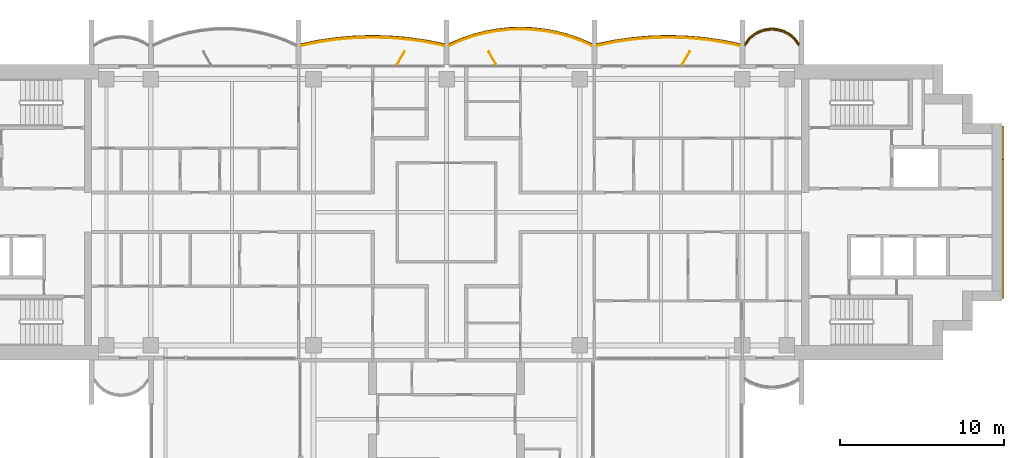
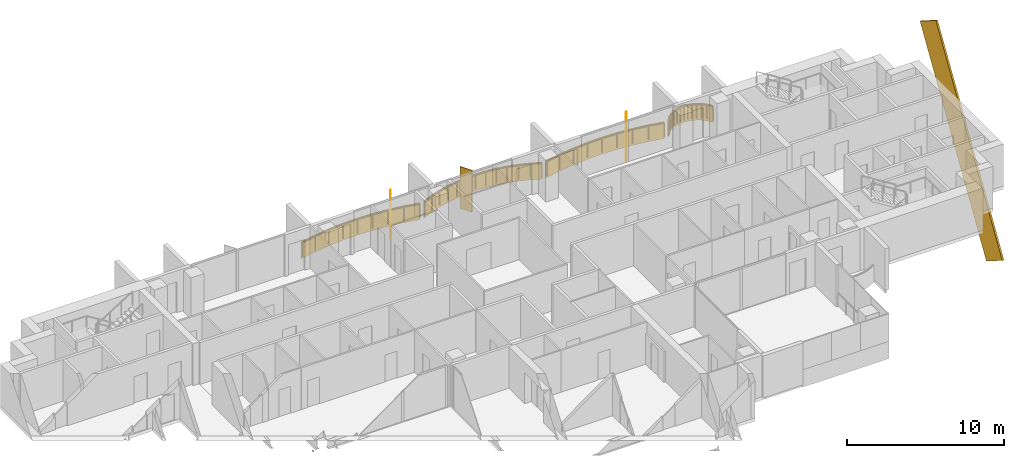
# One storey, part 18 of 18: 5 coverings, 4 railings, 3 shading devices.
"""IFC4 building model written with IfcOpenShell, lengths in metres."""

from ifc_helpers import new_model, si_unit, direction, frame, origin, origin_2d, place, context, subcontext, project, spatial, polyline, rectangle, outline, extrude, material, layer, layer_set, material_profile, profile_set, type_object, element, save


model = new_model("IFC4")

# Units and contexts
model_context = context("Model", 3, precision=1e-05, world=origin(), true_north=direction((0.0, 1.0)))
body_context = subcontext(model_context, "Body", "Model", "MODEL_VIEW")
ifc_project = project(units=[si_unit("LENGTHUNIT", "METRE"), si_unit("AREAUNIT", "SQUARE_METRE"), si_unit("VOLUMEUNIT", "CUBIC_METRE"), si_unit("PLANEANGLEUNIT", "RADIAN"), si_unit("MASSUNIT", "GRAM", prefix="KILO")], contexts=[model_context])

# Site, building, storey
site_placement = place(None, origin())
site = spatial("IfcSite", under=ifc_project, at=site_placement, CompositionType="ELEMENT")
building_placement = place(site_placement, origin())
building = spatial("IfcBuilding", under=site, at=building_placement, Name="Perihelion Cross Residences", CompositionType="ELEMENT")
storey_placement = place(building_placement, frame((0.0, 0.0, 215.60009765625)))
storey = spatial("IfcBuildingStorey", under=building, at=storey_placement, Name="L54", CompositionType="ELEMENT", Elevation=215.60009765625)

# Coverings
ifc_material_1 = material(Name="Bronze anodised aluminium", Category="aluminium")
ifc_layer_1 = layer(ifc_material_1, 0.070068359375)
ifc_layer_set_1 = layer_set([ifc_layer_1], Name="Balcony fascia 1300")
covering_type_1 = type_object("IfcCoveringType", Name="Balcony fascia 1300", PredefinedType="CLADDING", material=ifc_layer_set_1)
covering_1_placement = place(storey_placement, frame((0.0, 0.0, -0.2001953125)))
element("IfcCovering", 1, at=covering_1_placement, inside=storey, type_object=covering_type_1, Name="Fascia BF1 L54 east side north bay 1", PredefinedType="CLADDING", context=body_context, shape_type="SweptSolid", body=[
    extrude(outline(polyline([(21.226318359375, 10.616455078125), (20.94091796875, 10.86328125), (20.655517578125, 11.031494140625), (20.370361328125, 11.142578125), (20.085205078125, 11.206298828125), (19.800048828125, 11.22705078125), (19.514892578125, 11.206298828125), (19.229736328125, 11.142578125), (18.9443359375, 11.031494140625), (18.6591796875, 10.86328125), (18.373779296875, 10.616455078125), (18.14990234375, 10.31689453125), (18.14990234375, 10.199951171875), (18.425048828125, 10.568603515625), (18.699951171875, 10.806396484375), (18.97509765625, 10.96875), (19.25, 11.07568359375), (19.52490234375, 11.136962890625), (19.800048828125, 11.156982421875), (20.074951171875, 11.136962890625), (20.35009765625, 11.07568359375), (20.625, 10.96875), (20.89990234375, 10.806396484375), (21.175048828125, 10.568603515625), (21.449951171875, 10.199951171875), (21.449951171875, 10.31689453125), (21.226318359375, 10.616455078125)])), origin(), (0.0, 0.0, 1.0), 1.300048828125),
])
covering_2_placement = place(storey_placement, frame((0.0, 0.0, -0.2001953125)))
element("IfcCovering", 2, at=covering_2_placement, inside=storey, type_object=covering_type_1, Name="Fascia BF1 L54 east side north bay 2", PredefinedType="CLADDING", context=body_context, shape_type="SweptSolid", body=[
    extrude(outline(polyline([(16.7744140625, 10.4892578125), (15.682861328125, 10.645751953125), (14.591552734375, 10.739013671875), (13.5, 10.77001953125), (12.408447265625, 10.739013671875), (11.317138671875, 10.645751953125), (10.2255859375, 10.4892578125), (9.14990234375, 10.271484375), (9.14990234375, 10.199951171875), (10.237548828125, 10.42041015625), (11.324951171875, 10.576171875), (12.41259765625, 10.669189453125), (13.5, 10.699951171875), (14.58740234375, 10.669189453125), (15.675048828125, 10.576171875), (16.762451171875, 10.42041015625), (17.85009765625, 10.199951171875), (17.85009765625, 10.271484375), (16.7744140625, 10.4892578125)])), origin(), (0.0, 0.0, 1.0), 1.300048828125),
])
covering_3_placement = place(storey_placement, frame((0.0, 0.0, -0.2001953125)))
element("IfcCovering", 3, at=covering_3_placement, inside=storey, type_object=covering_type_1, Name="Fascia BF1 L54 north side east bay 1", PredefinedType="CLADDING", context=body_context, shape_type="SweptSolid", body=[
    extrude(outline(polyline([(8.150634765625, 10.582275390625), (7.42041015625, 10.83544921875), (6.690185546875, 11.028076171875), (5.960205078125, 11.1630859375), (5.22998046875, 11.243408203125), (4.5, 11.27001953125), (3.77001953125, 11.243408203125), (3.039794921875, 11.1630859375), (2.309814453125, 11.028076171875), (1.57958984375, 10.83544921875), (0.849365234375, 10.582275390625), (0.14990234375, 10.2763671875), (0.14990234375, 10.199951171875), (0.875, 10.51708984375), (1.60009765625, 10.7685546875), (2.324951171875, 10.959716796875), (3.050048828125, 11.093994140625), (3.77490234375, 11.173583984375), (4.5, 11.199951171875), (5.22509765625, 11.173583984375), (5.949951171875, 11.093994140625), (6.675048828125, 10.959716796875), (7.39990234375, 10.7685546875), (8.125, 10.51708984375), (8.85009765625, 10.199951171875), (8.85009765625, 10.2763671875), (8.150634765625, 10.582275390625)])), origin(), (0.0, 0.0, 1.0), 1.300048828125),
])
covering_4_placement = place(storey_placement, frame((0.0, 0.0, -0.2001953125)))
element("IfcCovering", 4, at=covering_4_placement, inside=storey, type_object=covering_type_1, Name="Fascia BF1 L54 north side east bay 2", PredefinedType="CLADDING", context=body_context, shape_type="SweptSolid", body=[
    extrude(outline(polyline([(-1.2255859375, 10.4892578125), (-2.317138671875, 10.645751953125), (-3.408447265625, 10.739013671875), (-4.5, 10.77001953125), (-5.591552734375, 10.739013671875), (-6.682861328125, 10.645751953125), (-7.7744140625, 10.4892578125), (-8.85009765625, 10.271484375), (-8.85009765625, 10.199951171875), (-7.762451171875, 10.42041015625), (-6.675048828125, 10.576171875), (-5.58740234375, 10.669189453125), (-4.5, 10.699951171875), (-3.41259765625, 10.669189453125), (-2.324951171875, 10.576171875), (-1.237548828125, 10.42041015625), (-0.14990234375, 10.199951171875), (-0.14990234375, 10.271484375), (-1.2255859375, 10.4892578125)])), origin(), (0.0, 0.0, 1.0), 1.300048828125),
])

# Railings
ifc_material_2 = material(Name="Bronze anodised aluminium", Category="aluminium")
railing_type = type_object("IfcRailingType", Name="Balcony guard 1100", PredefinedType="GUARDRAIL", material=ifc_material_2)
railing_1_placement = place(storey_placement, frame((21.425048828125, 10.139892578125, 0.0)))
element("IfcRailing", 5, at=railing_1_placement, inside=storey, type_object=railing_type, Name="Guard GU1 L54 east side north bay 1 balcony", PredefinedType="GUARDRAIL", context=body_context, shape_type="SweptSolid", body=[
    extrude(rectangle(XDim=0.048095703125, YDim=0.048095703125, at=origin_2d()), frame((0.0, 0.0, 1.076171875), z_axis=(-0.561260132269, 0.827639452857, 0.0), x_axis=(-0.827639452857, -0.561260132269, 0.0)), (0.0, 0.0, 1.0), 0.4453125),
    extrude(rectangle(XDim=0.048095703125, YDim=0.048095703125, at=origin_2d()), frame((-0.25, 0.36865234375, 1.076171875), z_axis=(-0.756596535164, 0.653882009982, 0.0), x_axis=(-0.653882009982, -0.756596535164, 0.0)), (0.0, 0.0, 1.0), 0.36376953125),
    extrude(rectangle(XDim=0.048095703125, YDim=0.048095703125, at=origin_2d()), frame((-0.525146484375, 0.6064453125, 1.076171875), z_axis=(-0.861048292884, 0.508523192511, 0.0), x_axis=(-0.508523192511, -0.861048292884, 0.0)), (0.0, 0.0, 1.0), 0.3193359375),
    extrude(rectangle(XDim=0.048095703125, YDim=0.048095703125, at=origin_2d()), frame((-0.800048828125, 0.768798828125, 1.076171875), z_axis=(-0.931973602183, 0.362526143656, 0.0), x_axis=(-0.362526143656, -0.931973602183, 0.0)), (0.0, 0.0, 1.0), 0.294921875),
    extrude(rectangle(XDim=0.048095703125, YDim=0.048095703125, at=origin_2d()), frame((-1.074951171875, 0.875732421875, 1.076171875), z_axis=(-0.976085059389, 0.21738895289, 0.0), x_axis=(-0.21738895289, -0.976085059389, 0.0)), (0.0, 0.0, 1.0), 0.281982421875),
    extrude(rectangle(XDim=0.048095703125, YDim=0.048095703125, at=origin_2d()), frame((-1.35009765625, 0.93701171875, 1.076171875), z_axis=(-0.997358821833, 0.072631814734, 0.0), x_axis=(-0.072631814734, -0.997358821833, 0.0)), (0.0, 0.0, 1.0), 0.275634765625),
    extrude(rectangle(XDim=0.048095703125, YDim=0.048095703125, at=origin_2d()), frame((-1.625, 0.95703125, 1.076171875), z_axis=(-0.997363488337, -0.072567707226, 0.0), x_axis=(0.072567707226, -0.997363488337, 0.0)), (0.0, 0.0, 1.0), 0.27587890625),
    extrude(rectangle(XDim=0.048095703125, YDim=0.048095703125, at=origin_2d()), frame((-1.900146484375, 0.93701171875, 1.076171875), z_axis=(-0.976044077717, -0.217572880557, 0.0), x_axis=(0.217572880557, -0.976044077717, 0.0)), (0.0, 0.0, 1.0), 0.28173828125),
    extrude(rectangle(XDim=0.048095703125, YDim=0.048095703125, at=origin_2d()), frame((-2.175048828125, 0.875732421875, 1.076171875), z_axis=(-0.931973602183, -0.362526143656, 0.0), x_axis=(0.362526143656, -0.931973602183, 0.0)), (0.0, 0.0, 1.0), 0.294921875),
    extrude(rectangle(XDim=0.048095703125, YDim=0.048095703125, at=origin_2d()), frame((-2.449951171875, 0.768798828125, 1.076171875), z_axis=(-0.861245845072, -0.508188542123, 0.0), x_axis=(0.508188542123, -0.861245845072, 0.0)), (0.0, 0.0, 1.0), 0.319580078125),
    extrude(rectangle(XDim=0.048095703125, YDim=0.048095703125, at=origin_2d()), frame((-2.72509765625, 0.6064453125, 1.076171875), z_axis=(-0.756309278473, -0.654214242658, 0.0), x_axis=(0.654214242658, -0.756309278473, 0.0)), (0.0, 0.0, 1.0), 0.363525390625),
    extrude(rectangle(XDim=0.048095703125, YDim=0.048095703125, at=origin_2d()), frame((-3.0, 0.36865234375, 1.076171875), z_axis=(-0.561260132269, -0.827639452857, 0.0), x_axis=(0.827639452857, -0.561260132269, 0.0)), (0.0, 0.0, 1.0), 0.4453125),
    extrude(rectangle(XDim=0.0419921875, YDim=0.0419921875, at=origin_2d()), origin(), (0.0, 0.0, 1.0), 1.052001953125),
    extrude(rectangle(XDim=0.0419921875, YDim=0.0419921875, at=origin_2d()), frame((-0.25, 0.36865234375, 0.0)), (0.0, 0.0, 1.0), 1.052001953125),
    extrude(rectangle(XDim=0.0419921875, YDim=0.0419921875, at=origin_2d()), frame((-0.525146484375, 0.6064453125, 0.0)), (0.0, 0.0, 1.0), 1.052001953125),
    extrude(rectangle(XDim=0.0419921875, YDim=0.0419921875, at=origin_2d()), frame((-0.800048828125, 0.768798828125, 0.0)), (0.0, 0.0, 1.0), 1.052001953125),
    extrude(rectangle(XDim=0.0419921875, YDim=0.0419921875, at=origin_2d()), frame((-1.074951171875, 0.875732421875, 0.0)), (0.0, 0.0, 1.0), 1.052001953125),
    extrude(rectangle(XDim=0.0419921875, YDim=0.0419921875, at=origin_2d()), frame((-1.35009765625, 0.93701171875, 0.0)), (0.0, 0.0, 1.0), 1.052001953125),
    extrude(rectangle(XDim=0.0419921875, YDim=0.0419921875, at=origin_2d()), frame((-1.625, 0.95703125, 0.0)), (0.0, 0.0, 1.0), 1.052001953125),
    extrude(rectangle(XDim=0.0419921875, YDim=0.0419921875, at=origin_2d()), frame((-1.900146484375, 0.93701171875, 0.0)), (0.0, 0.0, 1.0), 1.052001953125),
    extrude(rectangle(XDim=0.0419921875, YDim=0.0419921875, at=origin_2d()), frame((-2.175048828125, 0.875732421875, 0.0)), (0.0, 0.0, 1.0), 1.052001953125),
    extrude(rectangle(XDim=0.0419921875, YDim=0.0419921875, at=origin_2d()), frame((-2.449951171875, 0.768798828125, 0.0)), (0.0, 0.0, 1.0), 1.052001953125),
    extrude(rectangle(XDim=0.0419921875, YDim=0.0419921875, at=origin_2d()), frame((-2.72509765625, 0.6064453125, 0.0)), (0.0, 0.0, 1.0), 1.052001953125),
    extrude(rectangle(XDim=0.0419921875, YDim=0.0419921875, at=origin_2d()), frame((-3.0, 0.36865234375, 0.0)), (0.0, 0.0, 1.0), 1.052001953125),
    extrude(rectangle(XDim=0.0419921875, YDim=0.0419921875, at=origin_2d()), frame((-3.25, 0.0, 0.0)), (0.0, 0.0, 1.0), 1.052001953125),
])
railing_2_placement = place(storey_placement, frame((17.824951171875, 10.139892578125, 0.0)))
element("IfcRailing", 6, at=railing_2_placement, inside=storey, type_object=railing_type, Name="Guard GU1 L54 east side north bay 2 balcony", PredefinedType="GUARDRAIL", context=body_context, shape_type="SweptSolid", body=[
    extrude(rectangle(XDim=0.048095703125, YDim=0.048095703125, at=origin_2d()), frame((0.0, 0.0, 1.076171875), z_axis=(-0.979144816647, 0.203163549961, 0.0), x_axis=(-0.203163549961, -0.979144816647, 0.0)), (0.0, 0.0, 1.0), 1.085205078125),
    extrude(rectangle(XDim=0.048095703125, YDim=0.048095703125, at=origin_2d()), frame((-1.0625, 0.220458984375, 1.076171875), z_axis=(-0.98989608354, 0.141794724135, 0.0), x_axis=(-0.141794724135, -0.98989608354, 0.0)), (0.0, 0.0, 1.0), 1.098388671875),
    extrude(rectangle(XDim=0.048095703125, YDim=0.048095703125, at=origin_2d()), frame((-2.14990234375, 0.376220703125, 1.076171875), z_axis=(-0.996362942492, 0.085210837506, 0.0), x_axis=(-0.085210837506, -0.996362942492, 0.0)), (0.0, 0.0, 1.0), 1.091552734375),
    extrude(rectangle(XDim=0.048095703125, YDim=0.048095703125, at=origin_2d()), frame((-3.237548828125, 0.46923828125, 1.076171875), z_axis=(-0.999600101203, 0.028277865458, 0.0), x_axis=(-0.028277865458, -0.999600101203, 0.0)), (0.0, 0.0, 1.0), 1.087890625),
    extrude(rectangle(XDim=0.048095703125, YDim=0.048095703125, at=origin_2d()), frame((-4.324951171875, 0.5, 1.076171875), z_axis=(-0.999600101203, -0.028277865458, 0.0), x_axis=(0.028277865458, -0.999600101203, 0.0)), (0.0, 0.0, 1.0), 1.087890625),
    extrude(rectangle(XDim=0.048095703125, YDim=0.048095703125, at=origin_2d()), frame((-5.412353515625, 0.46923828125, 1.076171875), z_axis=(-0.996362942492, -0.085210837506, 0.0), x_axis=(0.085210837506, -0.996362942492, 0.0)), (0.0, 0.0, 1.0), 1.091552734375),
    extrude(rectangle(XDim=0.048095703125, YDim=0.048095703125, at=origin_2d()), frame((-6.5, 0.376220703125, 1.076171875), z_axis=(-0.98989608354, -0.141794724135, 0.0), x_axis=(0.141794724135, -0.98989608354, 0.0)), (0.0, 0.0, 1.0), 1.098388671875),
    extrude(rectangle(XDim=0.048095703125, YDim=0.048095703125, at=origin_2d()), frame((-7.58740234375, 0.220458984375, 1.076171875), z_axis=(-0.979144816647, -0.203163549961, 0.0), x_axis=(0.203163549961, -0.979144816647, 0.0)), (0.0, 0.0, 1.0), 1.085205078125),
    extrude(rectangle(XDim=0.0419921875, YDim=0.0419921875, at=origin_2d()), origin(), (0.0, 0.0, 1.0), 1.052001953125),
    extrude(rectangle(XDim=0.0419921875, YDim=0.0419921875, at=origin_2d()), frame((-1.0625, 0.220458984375, 0.0)), (0.0, 0.0, 1.0), 1.052001953125),
    extrude(rectangle(XDim=0.0419921875, YDim=0.0419921875, at=origin_2d()), frame((-2.14990234375, 0.376220703125, 0.0)), (0.0, 0.0, 1.0), 1.052001953125),
    extrude(rectangle(XDim=0.0419921875, YDim=0.0419921875, at=origin_2d()), frame((-3.237548828125, 0.46923828125, 0.0)), (0.0, 0.0, 1.0), 1.052001953125),
    extrude(rectangle(XDim=0.0419921875, YDim=0.0419921875, at=origin_2d()), frame((-4.324951171875, 0.5, 0.0)), (0.0, 0.0, 1.0), 1.052001953125),
    extrude(rectangle(XDim=0.0419921875, YDim=0.0419921875, at=origin_2d()), frame((-5.412353515625, 0.46923828125, 0.0)), (0.0, 0.0, 1.0), 1.052001953125),
    extrude(rectangle(XDim=0.0419921875, YDim=0.0419921875, at=origin_2d()), frame((-6.5, 0.376220703125, 0.0)), (0.0, 0.0, 1.0), 1.052001953125),
    extrude(rectangle(XDim=0.0419921875, YDim=0.0419921875, at=origin_2d()), frame((-7.58740234375, 0.220458984375, 0.0)), (0.0, 0.0, 1.0), 1.052001953125),
    extrude(rectangle(XDim=0.0419921875, YDim=0.0419921875, at=origin_2d()), frame((-8.64990234375, 0.0, 0.0)), (0.0, 0.0, 1.0), 1.052001953125),
])
railing_3_placement = place(storey_placement, frame((8.824951171875, 10.139892578125, 0.0)))
element("IfcRailing", 7, at=railing_3_placement, inside=storey, type_object=railing_type, Name="Guard GU1 L54 north side east bay 1 balcony", PredefinedType="GUARDRAIL", context=body_context, shape_type="SweptSolid", body=[
    extrude(rectangle(XDim=0.048095703125, YDim=0.048095703125, at=origin_2d()), frame((0.0, 0.0, 1.076171875), z_axis=(-0.910866309087, 0.412701547089, 0.0), x_axis=(-0.412701547089, -0.910866309087, 0.0)), (0.0, 0.0, 1.0), 0.7685546875),
    extrude(rectangle(XDim=0.048095703125, YDim=0.048095703125, at=origin_2d()), frame((-0.699951171875, 0.317138671875, 1.076171875), z_axis=(-0.944796812452, 0.327656807012, 0.0), x_axis=(-0.327656807012, -0.944796812452, 0.0)), (0.0, 0.0, 1.0), 0.767578125),
    extrude(rectangle(XDim=0.048095703125, YDim=0.048095703125, at=origin_2d()), frame((-1.425048828125, 0.568603515625, 1.076171875), z_axis=(-0.966939404945, 0.255006249266, 0.0), x_axis=(-0.255006249266, -0.966939404945, 0.0)), (0.0, 0.0, 1.0), 0.749755859375),
    extrude(rectangle(XDim=0.048095703125, YDim=0.048095703125, at=origin_2d()), frame((-2.14990234375, 0.759765625, 1.076171875), z_axis=(-0.983282004984, 0.182089260182, 0.0), x_axis=(-0.182089260182, -0.983282004984, 0.0)), (0.0, 0.0, 1.0), 0.7373046875),
    extrude(rectangle(XDim=0.048095703125, YDim=0.048095703125, at=origin_2d()), frame((-2.875, 0.89404296875, 1.076171875), z_axis=(-0.994025805622, 0.109145305703, 0.0), x_axis=(-0.109145305703, -0.994025805622, 0.0)), (0.0, 0.0, 1.0), 0.729248046875),
    extrude(rectangle(XDim=0.048095703125, YDim=0.048095703125, at=origin_2d()), frame((-3.599853515625, 0.9736328125, 1.076171875), z_axis=(-0.999339497946, 0.036339618107, 0.0), x_axis=(-0.036339618107, -0.999339497946, 0.0)), (0.0, 0.0, 1.0), 0.7255859375),
    extrude(rectangle(XDim=0.048095703125, YDim=0.048095703125, at=origin_2d()), frame((-4.324951171875, 1.0, 1.076171875), z_axis=(-0.999339497946, -0.036339618107, 0.0), x_axis=(0.036339618107, -0.999339497946, 0.0)), (0.0, 0.0, 1.0), 0.7255859375),
    extrude(rectangle(XDim=0.048095703125, YDim=0.048095703125, at=origin_2d()), frame((-5.050048828125, 0.9736328125, 1.076171875), z_axis=(-0.994025805622, -0.109145305703, 0.0), x_axis=(0.109145305703, -0.994025805622, 0.0)), (0.0, 0.0, 1.0), 0.729248046875),
    extrude(rectangle(XDim=0.048095703125, YDim=0.048095703125, at=origin_2d()), frame((-5.77490234375, 0.89404296875, 1.076171875), z_axis=(-0.983282004984, -0.182089260182, 0.0), x_axis=(0.182089260182, -0.983282004984, 0.0)), (0.0, 0.0, 1.0), 0.7373046875),
    extrude(rectangle(XDim=0.048095703125, YDim=0.048095703125, at=origin_2d()), frame((-6.5, 0.759765625, 1.076171875), z_axis=(-0.966939404945, -0.255006249266, 0.0), x_axis=(0.255006249266, -0.966939404945, 0.0)), (0.0, 0.0, 1.0), 0.749755859375),
    extrude(rectangle(XDim=0.048095703125, YDim=0.048095703125, at=origin_2d()), frame((-7.224853515625, 0.568603515625, 1.076171875), z_axis=(-0.944796812452, -0.327656807012, 0.0), x_axis=(0.327656807012, -0.944796812452, 0.0)), (0.0, 0.0, 1.0), 0.767578125),
    extrude(rectangle(XDim=0.048095703125, YDim=0.048095703125, at=origin_2d()), frame((-7.949951171875, 0.317138671875, 1.076171875), z_axis=(-0.910866309087, -0.412701547089, 0.0), x_axis=(0.412701547089, -0.910866309087, 0.0)), (0.0, 0.0, 1.0), 0.7685546875),
    extrude(rectangle(XDim=0.0419921875, YDim=0.0419921875, at=origin_2d()), origin(), (0.0, 0.0, 1.0), 1.052001953125),
    extrude(rectangle(XDim=0.0419921875, YDim=0.0419921875, at=origin_2d()), frame((-0.699951171875, 0.317138671875, 0.0)), (0.0, 0.0, 1.0), 1.052001953125),
    extrude(rectangle(XDim=0.0419921875, YDim=0.0419921875, at=origin_2d()), frame((-1.425048828125, 0.568603515625, 0.0)), (0.0, 0.0, 1.0), 1.052001953125),
    extrude(rectangle(XDim=0.0419921875, YDim=0.0419921875, at=origin_2d()), frame((-2.14990234375, 0.759765625, 0.0)), (0.0, 0.0, 1.0), 1.052001953125),
    extrude(rectangle(XDim=0.0419921875, YDim=0.0419921875, at=origin_2d()), frame((-2.875, 0.89404296875, 0.0)), (0.0, 0.0, 1.0), 1.052001953125),
    extrude(rectangle(XDim=0.0419921875, YDim=0.0419921875, at=origin_2d()), frame((-3.599853515625, 0.9736328125, 0.0)), (0.0, 0.0, 1.0), 1.052001953125),
    extrude(rectangle(XDim=0.0419921875, YDim=0.0419921875, at=origin_2d()), frame((-4.324951171875, 1.0, 0.0)), (0.0, 0.0, 1.0), 1.052001953125),
    extrude(rectangle(XDim=0.0419921875, YDim=0.0419921875, at=origin_2d()), frame((-5.050048828125, 0.9736328125, 0.0)), (0.0, 0.0, 1.0), 1.052001953125),
    extrude(rectangle(XDim=0.0419921875, YDim=0.0419921875, at=origin_2d()), frame((-5.77490234375, 0.89404296875, 0.0)), (0.0, 0.0, 1.0), 1.052001953125),
    extrude(rectangle(XDim=0.0419921875, YDim=0.0419921875, at=origin_2d()), frame((-6.5, 0.759765625, 0.0)), (0.0, 0.0, 1.0), 1.052001953125),
    extrude(rectangle(XDim=0.0419921875, YDim=0.0419921875, at=origin_2d()), frame((-7.224853515625, 0.568603515625, 0.0)), (0.0, 0.0, 1.0), 1.052001953125),
    extrude(rectangle(XDim=0.0419921875, YDim=0.0419921875, at=origin_2d()), frame((-7.949951171875, 0.317138671875, 0.0)), (0.0, 0.0, 1.0), 1.052001953125),
    extrude(rectangle(XDim=0.0419921875, YDim=0.0419921875, at=origin_2d()), frame((-8.64990234375, 0.0, 0.0)), (0.0, 0.0, 1.0), 1.052001953125),
])
railing_4_placement = place(storey_placement, frame((-0.175048828125, 10.139892578125, 0.0)))
element("IfcRailing", 8, at=railing_4_placement, inside=storey, type_object=railing_type, Name="Guard GU1 L54 north side east bay 2 balcony", PredefinedType="GUARDRAIL", context=body_context, shape_type="SweptSolid", body=[
    extrude(rectangle(XDim=0.048095703125, YDim=0.048095703125, at=origin_2d()), frame((0.0, 0.0, 1.076171875), z_axis=(-0.979144816647, 0.203163549961, 0.0), x_axis=(-0.203163549961, -0.979144816647, 0.0)), (0.0, 0.0, 1.0), 1.085205078125),
    extrude(rectangle(XDim=0.048095703125, YDim=0.048095703125, at=origin_2d()), frame((-1.0625, 0.220458984375, 1.076171875), z_axis=(-0.98989608354, 0.141794724135, 0.0), x_axis=(-0.141794724135, -0.98989608354, 0.0)), (0.0, 0.0, 1.0), 1.098388671875),
    extrude(rectangle(XDim=0.048095703125, YDim=0.048095703125, at=origin_2d()), frame((-2.14990234375, 0.376220703125, 1.076171875), z_axis=(-0.996362942492, 0.085210837506, 0.0), x_axis=(-0.085210837506, -0.996362942492, 0.0)), (0.0, 0.0, 1.0), 1.091552734375),
    extrude(rectangle(XDim=0.048095703125, YDim=0.048095703125, at=origin_2d()), frame((-3.237548828125, 0.46923828125, 1.076171875), z_axis=(-0.999600101203, 0.028277865458, 0.0), x_axis=(-0.028277865458, -0.999600101203, 0.0)), (0.0, 0.0, 1.0), 1.087890625),
    extrude(rectangle(XDim=0.048095703125, YDim=0.048095703125, at=origin_2d()), frame((-4.324951171875, 0.5, 1.076171875), z_axis=(-0.999600101203, -0.028277865458, 0.0), x_axis=(0.028277865458, -0.999600101203, 0.0)), (0.0, 0.0, 1.0), 1.087890625),
    extrude(rectangle(XDim=0.048095703125, YDim=0.048095703125, at=origin_2d()), frame((-5.412353515625, 0.46923828125, 1.076171875), z_axis=(-0.996362942492, -0.085210837506, 0.0), x_axis=(0.085210837506, -0.996362942492, 0.0)), (0.0, 0.0, 1.0), 1.091552734375),
    extrude(rectangle(XDim=0.048095703125, YDim=0.048095703125, at=origin_2d()), frame((-6.5, 0.376220703125, 1.076171875), z_axis=(-0.98989608354, -0.141794724135, 0.0), x_axis=(0.141794724135, -0.98989608354, 0.0)), (0.0, 0.0, 1.0), 1.098388671875),
    extrude(rectangle(XDim=0.048095703125, YDim=0.048095703125, at=origin_2d()), frame((-7.58740234375, 0.220458984375, 1.076171875), z_axis=(-0.979144816647, -0.203163549961, 0.0), x_axis=(0.203163549961, -0.979144816647, 0.0)), (0.0, 0.0, 1.0), 1.085205078125),
    extrude(rectangle(XDim=0.0419921875, YDim=0.0419921875, at=origin_2d()), origin(), (0.0, 0.0, 1.0), 1.052001953125),
    extrude(rectangle(XDim=0.0419921875, YDim=0.0419921875, at=origin_2d()), frame((-1.0625, 0.220458984375, 0.0)), (0.0, 0.0, 1.0), 1.052001953125),
    extrude(rectangle(XDim=0.0419921875, YDim=0.0419921875, at=origin_2d()), frame((-2.14990234375, 0.376220703125, 0.0)), (0.0, 0.0, 1.0), 1.052001953125),
    extrude(rectangle(XDim=0.0419921875, YDim=0.0419921875, at=origin_2d()), frame((-3.237548828125, 0.46923828125, 0.0)), (0.0, 0.0, 1.0), 1.052001953125),
    extrude(rectangle(XDim=0.0419921875, YDim=0.0419921875, at=origin_2d()), frame((-4.324951171875, 0.5, 0.0)), (0.0, 0.0, 1.0), 1.052001953125),
    extrude(rectangle(XDim=0.0419921875, YDim=0.0419921875, at=origin_2d()), frame((-5.412353515625, 0.46923828125, 0.0)), (0.0, 0.0, 1.0), 1.052001953125),
    extrude(rectangle(XDim=0.0419921875, YDim=0.0419921875, at=origin_2d()), frame((-6.5, 0.376220703125, 0.0)), (0.0, 0.0, 1.0), 1.052001953125),
    extrude(rectangle(XDim=0.0419921875, YDim=0.0419921875, at=origin_2d()), frame((-7.58740234375, 0.220458984375, 0.0)), (0.0, 0.0, 1.0), 1.052001953125),
    extrude(rectangle(XDim=0.0419921875, YDim=0.0419921875, at=origin_2d()), frame((-8.64990234375, 0.0, 0.0)), (0.0, 0.0, 1.0), 1.052001953125),
])

# Covering
ifc_material_3 = material(Name="Bronze anodised aluminium", Category="aluminium")
ifc_material_profile = material_profile(ifc_material_3, rectangle(XDim=0.125, YDim=2.39990234375, at=origin_2d()), Name="Bronze cladding band 2400")
ifc_profile_set = profile_set([ifc_material_profile], Name="Bronze anodised aluminium")
covering_type_2 = type_object("IfcCoveringType", Name="Bronze cladding band 2400", PredefinedType="CLADDING", material=ifc_profile_set)
covering_5_placement = place(storey_placement, frame((33.862548828125, -4.232421875, -6.5390625), z_axis=(0.0, 0.529924750763, 0.848044667767), x_axis=(-1.0, 0.0, 0.0)))
element("IfcCovering", 9, at=covering_5_placement, inside=storey, type_object=covering_type_2, Name="Core cladding band, east core", PredefinedType="CLADDING", context=body_context, shape_type="SweptSolid", body=[
    extrude(rectangle(XDim=0.125, YDim=2.39990234375, at=origin_2d()), origin(), (0.0, 0.0, 1.0), 15.9736328125),
])

# Shading devices
ifc_material_4 = material(Name="Bronze anodised aluminium", Category="aluminium")
ifc_layer_2 = layer(ifc_material_4, 0.050048828125)
ifc_layer_set_2 = layer_set([ifc_layer_2], Name="Bronze fin 900")
shading_device_type = type_object("IfcShadingDeviceType", Name="Bronze fin 900", PredefinedType="USERDEFINED", material=ifc_layer_set_2)
for number, where, z_axis, x_axis, name in (
    (10, (14.574951171875, 9.3896484375, 0.0), (0.0, 0.0, 1.0), (0.5, 0.866025403784, 0.0), "Fin FN1 L54 east side north bay 2"),
    (11, (2.78759765625, 9.3896484375, 0.0), (0.0, 0.0, 1.0), (-0.5, 0.866025403784, 0.0), "Fin FN1 L54 north side east bay 1"),
    (12, (-2.78759765625, 9.3896484375, 0.0), (0.0, 0.0, 1.0), (0.5, 0.866025403784, 0.0), "Fin FN1 L54 north side east bay 2"),
):
    element("IfcShadingDevice", number, at=place(storey_placement, frame(where, z_axis=z_axis, x_axis=x_axis)), inside=storey, type_object=shading_device_type, Name=name, ObjectType="FIN", PredefinedType="USERDEFINED", context=body_context, shape_type="SweptSolid", body=[
        extrude(rectangle(XDim=0.89990234375, YDim=0.050048828125, at=origin_2d()), origin(), (0.0, 0.0, 1.0), 3.25),
    ])

save(model, "model.ifc")
